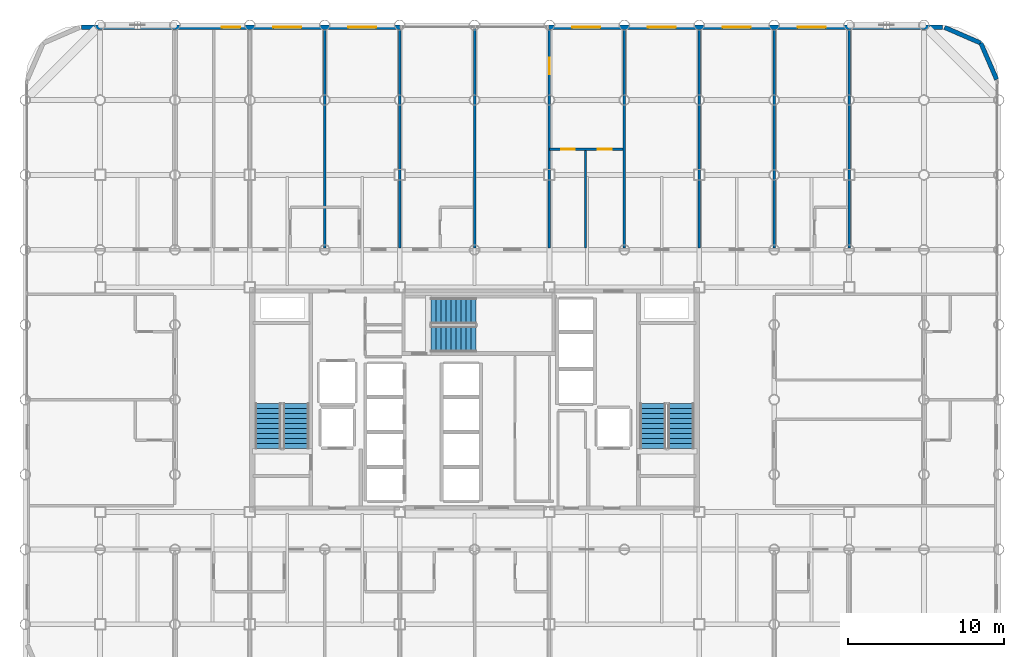
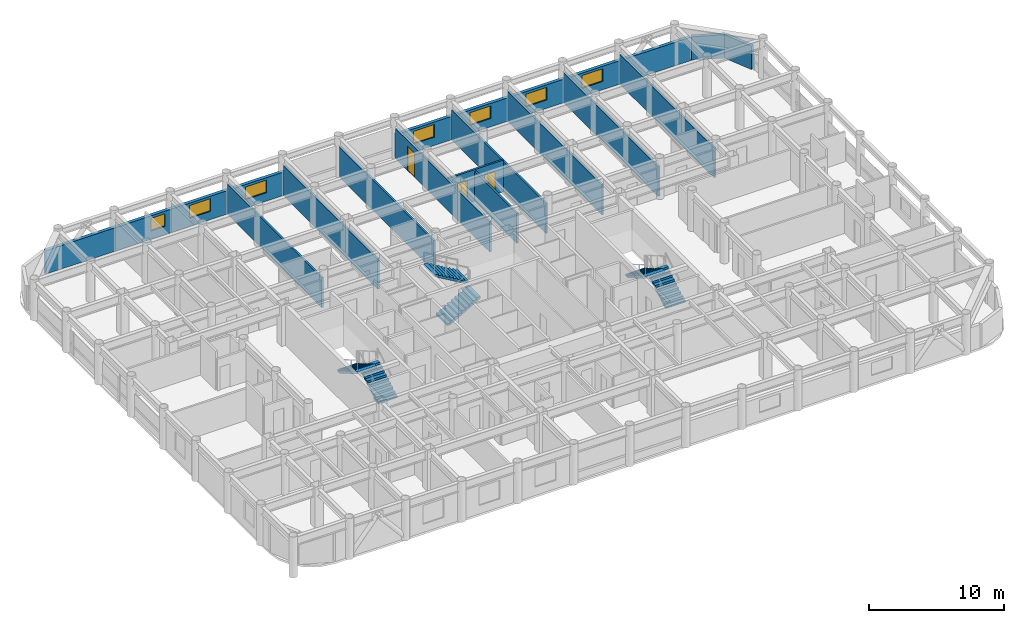
# One storey, part 21 of 22: 14 walls, 7 windows, 6 stair flights, 3 doors, 10 openings, 3 elements without a shape of their own.
"""IFC4 building model written with IfcOpenShell, lengths in metres."""

from ifc_helpers import new_model, si_unit, direction, frame, frame_2d, origin, place, context, subcontext, project, spatial, polyline, rectangle, outline, extrude, material, layer, layer_set, type_object, element, fill, aggregate, save


model = new_model("IFC4")

# Units and contexts
model_context = context("Model", 3, precision=1e-05, world=origin(), true_north=direction((0.0, 1.0)))
body_context = subcontext(model_context, "Body", "Model", "MODEL_VIEW")
ifc_project = project(units=[si_unit("LENGTHUNIT", "METRE"), si_unit("AREAUNIT", "SQUARE_METRE"), si_unit("VOLUMEUNIT", "CUBIC_METRE"), si_unit("PLANEANGLEUNIT", "RADIAN"), si_unit("MASSUNIT", "GRAM", prefix="KILO")], contexts=[model_context])

# Site, building, storey
site_placement = place(None, origin())
site = spatial("IfcSite", under=ifc_project, at=site_placement, CompositionType="ELEMENT")
building_placement = place(site_placement, origin())
building = spatial("IfcBuilding", under=site, at=building_placement, Name="Kallvorn Hotel Tower", CompositionType="ELEMENT")
storey_placement = place(building_placement, frame((0.0, 0.0, 106.300048828125)))
storey = spatial("IfcBuildingStorey", under=building, at=storey_placement, Name="L25", CompositionType="ELEMENT", Elevation=106.300048828125)

# Wall, openings, doors
ifc_material_1 = material(Name="Fire-rated double-layer acoustic gypsum drywall EI 60")
ifc_layer_1 = layer(ifc_material_1, 0.159912109375)
ifc_layer_set_1 = layer_set([ifc_layer_1], Name="WL_DEMISE_160")
wall_type_1 = type_object("IfcWallType", Name="WL_DEMISE_160", PredefinedType="PARTITIONING", material=ifc_layer_set_1)
wall_1_placement = place(storey_placement, frame((4.800048828125, 16.050048828125, 0.0), z_axis=(0.0, 0.0, 1.0), x_axis=(1.0, 0.0, 0.0)))
wall_1 = element("IfcWall", 1, at=wall_1_placement, inside=storey, type_object=wall_type_1, Name="L25 Suite 2514 Junior Bedroom Partition", PredefinedType="PARTITIONING", context=body_context, shape_type="SweptSolid", body=[
    extrude(rectangle(XDim=4.719970703125, YDim=0.159912109375, at=frame_2d((2.35986328125, 0.0))), origin(), (0.0, 0.0, 1.0), 2.869873046875),
])
opening_1_placement = place(wall_1_placement, frame((0.75, 0.0, 0.0)))
opening_1 = element("IfcOpeningElement", 2, at=opening_1_placement, cuts=wall_1, Name="Opening BD-I", PredefinedType="OPENING", context=body_context, shape_type="SweptSolid", body=[
    extrude(rectangle(XDim=0.860107421875, YDim=2.10009765625, at=frame_2d((0.43017578125, 1.050048828125))), frame((0.0, 0.094970703125, 0.0), z_axis=(0.0, -1.0, 0.0), x_axis=(1.0, 0.0, 0.0)), (0.0, 0.0, 1.0), 0.18994140625),
])
opening_2_placement = place(wall_1_placement, frame((3.090087890625, 0.0, 0.0)))
opening_2 = element("IfcOpeningElement", 3, at=opening_2_placement, cuts=wall_1, Name="Opening SVD1", PredefinedType="OPENING", context=body_context, shape_type="SweptSolid", body=[
    extrude(rectangle(XDim=0.89990234375, YDim=2.10009765625, at=frame_2d((0.449951171875, 1.050048828125))), frame((0.0, 0.094970703125, 0.0), z_axis=(0.0, -1.0, 0.0), x_axis=(1.0, 0.0, 0.0)), (0.0, 0.0, 1.0), 0.18994140625),
])
ifc_material_2 = material(Name="Solid-core walnut veneer fire-rated timber door leaf", Category="wood")
door_type_1 = type_object("IfcDoorType", Name="DR_BATH_860x2100", OperationType="NOTDEFINED", PredefinedType="DOOR", material=ifc_material_2)
door_1_placement = place(opening_1_placement, origin())
door_1 = element("IfcDoor", 4, at=door_1_placement, inside=storey, type_object=door_type_1, Name="L25 Suite 2514 En-Suite Bathroom Door", OperationType="SINGLE_SWING_LEFT", OverallHeight=2.10009765625, OverallWidth=0.860107421875, PredefinedType="DOOR", context=body_context, shape_type="SweptSolid", body=[
    extrude(rectangle(XDim=0.860107421875, YDim=2.10009765625, at=frame_2d((0.43017578125, 1.050048828125))), frame((0.0, 0.02490234375, 0.0), z_axis=(0.0, -1.0, 0.0), x_axis=(1.0, 0.0, 0.0)), (0.0, 0.0, 1.0), 0.050048828125),
])
fill(opening_1, door_1)
ifc_material_3 = material(Name="Galvanised painted steel fire-rated door assembly", Category="steel")
door_type_2 = type_object("IfcDoorType", Name="DR_SERV_900x2100", OperationType="NOTDEFINED", PredefinedType="DOOR", material=ifc_material_3)
door_2_placement = place(opening_2_placement, origin())
door_2 = element("IfcDoor", 5, at=door_2_placement, inside=storey, type_object=door_type_2, Name="L25 Suite 2514 Walk-In Dressing Closet Door", OperationType="SINGLE_SWING_RIGHT", OverallHeight=2.10009765625, OverallWidth=0.89990234375, PredefinedType="DOOR", context=body_context, shape_type="SweptSolid", body=[
    extrude(rectangle(XDim=0.89990234375, YDim=2.10009765625, at=frame_2d((0.449951171875, 1.050048828125))), frame((0.0, 0.02490234375, 0.0), z_axis=(0.0, -1.0, 0.0), x_axis=(1.0, 0.0, 0.0)), (0.0, 0.0, 1.0), 0.050048828125),
])
fill(opening_2, door_2)

# Walls
for number, where, z_axis, x_axis, name in (
    (6, (-9.60009765625, 9.719970703125, 0.0), (0.0, 0.0, 1.0), (0.0, 1.0, 0.0), "L25 Suite 2511 Standard Twin Room Partition"),
    (7, (-4.800048828125, 9.719970703125, 0.0), (0.0, 0.0, 1.0), (0.0, 1.0, 0.0), "L25 Suite 2512 Standard Twin Room Partition"),
):
    element("IfcWall", number, at=place(storey_placement, frame(where, z_axis=z_axis, x_axis=x_axis)), inside=storey, type_object=wall_type_1, Name=name, PredefinedType="PARTITIONING", context=body_context, shape_type="SweptSolid", body=[
        extrude(rectangle(XDim=13.989990234375, YDim=0.159912109375, at=frame_2d((6.9951171875, 0.0))), origin(), (0.0, 0.0, 1.0), 2.719970703125),
    ])
wall_2_placement = place(storey_placement, frame((0.0, 9.719970703125, 0.0), z_axis=(0.0, 0.0, 1.0), x_axis=(0.0, 1.0, 0.0)))
element("IfcWall", 8, at=wall_2_placement, inside=storey, type_object=wall_type_1, Name="L25 Suite 2514 Junior Living Salon Partition", PredefinedType="PARTITIONING", context=body_context, shape_type="SweptSolid", body=[
    extrude(rectangle(XDim=14.074951171875, YDim=0.159912109375, at=frame_2d((7.03759765625, 0.0))), origin(), (0.0, 0.0, 1.0), 2.719970703125),
])

# Wall, opening, door
wall_3_placement = place(storey_placement, frame((4.800048828125, 9.719970703125, 0.0), z_axis=(0.0, 0.0, 1.0), x_axis=(0.0, 1.0, 0.0)))
wall_3 = element("IfcWall", 9, at=wall_3_placement, inside=storey, type_object=wall_type_1, Name="L25 Suite 2514 Junior Living Salon Partition", PredefinedType="PARTITIONING", context=body_context, shape_type="SweptSolid", body=[
    extrude(rectangle(XDim=13.989990234375, YDim=0.159912109375, at=frame_2d((6.9951171875, 0.0))), origin(), (0.0, 0.0, 1.0), 2.719970703125),
])
opening_3_placement = place(wall_3_placement, frame((11.136962890625, 0.0, 0.0)))
opening_3 = element("IfcOpeningElement", 10, at=opening_3_placement, cuts=wall_3, Name="Opening GD2", PredefinedType="OPENING", context=body_context, shape_type="SweptSolid", body=[
    extrude(rectangle(XDim=1.050048828125, YDim=2.199951171875, at=frame_2d((0.52490234375, 1.10009765625))), frame((0.0, 0.094970703125, 0.0), z_axis=(0.0, -1.0, 0.0), x_axis=(1.0, 0.0, 0.0)), (0.0, 0.0, 1.0), 0.18994140625),
])
ifc_material_4 = material(Name="Solid-core walnut veneer fire-rated timber door leaf", Category="wood")
door_type_3 = type_object("IfcDoorType", Name="DR_SUITE_1050x2200", OperationType="NOTDEFINED", PredefinedType="DOOR", material=ifc_material_4)
door_3_placement = place(opening_3_placement, origin())
door_3 = element("IfcDoor", 11, at=door_3_placement, inside=storey, type_object=door_type_3, Name="L25 Suite 2514 Junior Bedroom Door", OperationType="SINGLE_SWING_LEFT", OverallHeight=2.199951171875, OverallWidth=1.050048828125, PredefinedType="DOOR", context=body_context, shape_type="SweptSolid", body=[
    extrude(rectangle(XDim=1.050048828125, YDim=2.199951171875, at=frame_2d((0.52490234375, 1.10009765625))), frame((0.0, 0.02490234375, 0.0), z_axis=(0.0, -1.0, 0.0), x_axis=(1.0, 0.0, 0.0)), (0.0, 0.0, 1.0), 0.050048828125),
])
fill(opening_3, door_3)

# Walls
for number, where, z_axis, x_axis, name in (
    (12, (9.60009765625, 9.719970703125, 0.0), (0.0, 0.0, 1.0), (0.0, 1.0, 0.0), "L25 Suite 2514 Junior Bedroom Partition"),
    (13, (19.199951171875, 9.719970703125, 0.0), (0.0, 0.0, 1.0), (0.0, 1.0, 0.0), "L25 Suite 2515 Standard Twin Room Partition"),
    (14, (24.0, 9.719970703125, 0.0), (0.0, 0.0, 1.0), (0.0, 1.0, 0.0), "L25 Suite 2515 Standard Twin Room Partition"),
):
    element("IfcWall", number, at=place(storey_placement, frame(where, z_axis=z_axis, x_axis=x_axis)), inside=storey, type_object=wall_type_1, Name=name, PredefinedType="PARTITIONING", context=body_context, shape_type="SweptSolid", body=[
        extrude(rectangle(XDim=13.989990234375, YDim=0.159912109375, at=frame_2d((6.9951171875, 0.0))), origin(), (0.0, 0.0, 1.0), 2.719970703125),
    ])
ifc_material_5 = material(Name="Precast basalt-clad insulated concrete wall C40/50", Category="masonry")
ifc_layer_2 = layer(ifc_material_5, 0.280029296875)
ifc_layer_set_2 = layer_set([ifc_layer_2], Name="WL_EXT_LOGGIA_280")
wall_type_2 = type_object("IfcWallType", Name="WL_EXT_LOGGIA_280", PredefinedType="SOLIDWALL", material=ifc_layer_set_2)
wall_4_placement = place(storey_placement, frame((33.4580078125, 20.520751953125, 0.0), z_axis=(0.0, 0.0, 1.0), x_axis=(-0.398792985289, 0.917040977756, 0.0)))
element("IfcWall", 15, at=wall_4_placement, inside=storey, type_object=wall_type_2, Name="L25 Rounded Corner Exterior Wall NE1", PredefinedType="SOLIDWALL", context=body_context, shape_type="SweptSolid", body=[
    extrude(rectangle(XDim=2.536376953125, YDim=0.280029296875, at=frame_2d((1.26806640625, 0.0))), origin(), (0.0, 0.0, 1.0), 2.119873046875),
])
wall_5_placement = place(storey_placement, frame((32.446533203125, 22.8466796875, 0.0), z_axis=(0.0, 0.0, 1.0), x_axis=(-0.917060872934, 0.398747232384, 0.0)))
element("IfcWall", 16, at=wall_5_placement, inside=storey, type_object=wall_type_2, Name="L25 Rounded Corner Exterior Wall NE2", PredefinedType="SOLIDWALL", context=body_context, shape_type="SweptSolid", body=[
    extrude(rectangle(XDim=2.5361328125, YDim=0.280029296875, at=frame_2d((1.26806640625, 0.0))), origin(), (0.0, 0.0, 1.0), 2.119873046875),
])

# Wall, openings, windows
wall_6_placement = place(storey_placement, frame((-25.199951171875, 23.860107421875, 0.0), z_axis=(0.0, 0.0, 1.0), x_axis=(1.0, 0.0, 0.0)))
wall_6 = element("IfcWall", 17, at=wall_6_placement, inside=storey, type_object=wall_type_2, Name="L25 Exterior Envelope Wall EW-L25-NW", PredefinedType="SOLIDWALL", context=body_context, shape_type="SweptSolid", body=[
    extrude(rectangle(XDim=20.449951171875, YDim=0.280029296875, at=frame_2d((10.22509765625, 0.0))), origin(), (0.0, 0.0, 1.0), 2.119873046875),
])
opening_4_placement = place(wall_6_placement, frame((9.0, 0.0, 0.75)))
opening_4 = element("IfcOpeningElement", 18, at=opening_4_placement, cuts=wall_6, Name="Opening W06A", PredefinedType="OPENING", context=body_context, shape_type="SweptSolid", body=[
    extrude(rectangle(XDim=1.199951171875, YDim=1.14990234375, at=frame_2d((0.60009765625, 0.574951171875))), frame((0.0, 0.155029296875, 0.0), z_axis=(0.0, -1.0, 0.0), x_axis=(1.0, 0.0, 0.0)), (0.0, 0.0, 1.0), 0.31005859375),
])
opening_5_placement = place(wall_6_placement, frame((12.300048828125, 0.0, 0.75)))
opening_5 = element("IfcOpeningElement", 19, at=opening_5_placement, cuts=wall_6, Name="Opening W04A", PredefinedType="OPENING", context=body_context, shape_type="SweptSolid", body=[
    extrude(rectangle(XDim=1.800048828125, YDim=1.14990234375, at=frame_2d((0.89990234375, 0.574951171875))), frame((0.0, 0.155029296875, 0.0), z_axis=(0.0, -1.0, 0.0), x_axis=(1.0, 0.0, 0.0)), (0.0, 0.0, 1.0), 0.31005859375),
])
opening_6_placement = place(wall_6_placement, frame((17.10009765625, 0.0, 0.75)))
opening_6 = element("IfcOpeningElement", 20, at=opening_6_placement, cuts=wall_6, Name="Opening W04A", PredefinedType="OPENING", context=body_context, shape_type="SweptSolid", body=[
    extrude(rectangle(XDim=1.800048828125, YDim=1.14990234375, at=frame_2d((0.89990234375, 0.574951171875))), frame((0.0, 0.155029296875, 0.0), z_axis=(0.0, -1.0, 0.0), x_axis=(1.0, 0.0, 0.0)), (0.0, 0.0, 1.0), 0.31005859375),
])
ifc_material_6 = material(Name="Triple-glazed low-e acoustic solar-control dark glass", Category="glass")
window_type_1 = type_object("IfcWindowType", Name="WN_HTL_1200x1150", PartitioningType="SINGLE_PANEL", PredefinedType="WINDOW", material=ifc_material_6)
window_1_placement = place(opening_4_placement, origin())
window_1 = element("IfcWindow", 21, at=window_1_placement, inside=storey, type_object=window_type_1, Name="L25 Guestroom Exterior Window 10", OverallHeight=1.14990234375, OverallWidth=1.199951171875, PartitioningType="SINGLE_PANEL", PredefinedType="WINDOW", context=body_context, shape_type="SweptSolid", body=[
    extrude(rectangle(XDim=1.199951171875, YDim=1.14990234375, at=frame_2d((0.60009765625, 0.574951171875))), frame((0.0, 0.030029296875, 0.0), z_axis=(0.0, -1.0, 0.0), x_axis=(1.0, 0.0, 0.0)), (0.0, 0.0, 1.0), 0.06005859375),
])
fill(opening_4, window_1)
ifc_material_7 = material(Name="Double-glazed low-e solar-control dark glass", Category="glass")
window_type_2 = type_object("IfcWindowType", Name="WN_HTL_1800x1150", PartitioningType="SINGLE_PANEL", PredefinedType="WINDOW", material=ifc_material_7)
window_2_placement = place(opening_5_placement, origin())
window_2 = element("IfcWindow", 22, at=window_2_placement, inside=storey, type_object=window_type_2, Name="L25 Guestroom Exterior Window 11", OverallHeight=1.14990234375, OverallWidth=1.800048828125, PartitioningType="SINGLE_PANEL", PredefinedType="WINDOW", context=body_context, shape_type="SweptSolid", body=[
    extrude(rectangle(XDim=1.800048828125, YDim=1.14990234375, at=frame_2d((0.89990234375, 0.574951171875))), frame((0.0, 0.030029296875, 0.0), z_axis=(0.0, -1.0, 0.0), x_axis=(1.0, 0.0, 0.0)), (0.0, 0.0, 1.0), 0.06005859375),
])
fill(opening_5, window_2)
window_3_placement = place(opening_6_placement, origin())
window_3 = element("IfcWindow", 23, at=window_3_placement, inside=storey, type_object=window_type_2, Name="L25 Guestroom Exterior Window 12", OverallHeight=1.14990234375, OverallWidth=1.800048828125, PartitioningType="SINGLE_PANEL", PredefinedType="WINDOW", context=body_context, shape_type="SweptSolid", body=[
    extrude(rectangle(XDim=1.800048828125, YDim=1.14990234375, at=frame_2d((0.89990234375, 0.574951171875))), frame((0.0, 0.030029296875, 0.0), z_axis=(0.0, -1.0, 0.0), x_axis=(1.0, 0.0, 0.0)), (0.0, 0.0, 1.0), 0.06005859375),
])
fill(opening_6, window_3)

wall_7_placement = place(storey_placement, frame((4.75, 23.860107421875, 0.0), z_axis=(0.0, 0.0, 1.0), x_axis=(1.0, 0.0, 0.0)))
wall_7 = element("IfcWall", 24, at=wall_7_placement, inside=storey, type_object=wall_type_2, Name="L25 Exterior Envelope Wall EW-L25-NE", PredefinedType="SOLIDWALL", context=body_context, shape_type="SweptSolid", body=[
    extrude(rectangle(XDim=25.25, YDim=0.280029296875, at=frame_2d((12.625, 0.0))), origin(), (0.0, 0.0, 1.0), 2.119873046875),
])
opening_7_placement = place(wall_7_placement, frame((1.510009765625, 0.0, 0.75)))
opening_7 = element("IfcOpeningElement", 25, at=opening_7_placement, cuts=wall_7, Name="Opening W04A", PredefinedType="OPENING", context=body_context, shape_type="SweptSolid", body=[
    extrude(rectangle(XDim=1.800048828125, YDim=1.14990234375, at=frame_2d((0.89990234375, 0.574951171875))), frame((0.0, 0.155029296875, 0.0), z_axis=(0.0, -1.0, 0.0), x_axis=(1.0, 0.0, 0.0)), (0.0, 0.0, 1.0), 0.31005859375),
])
opening_8_placement = place(wall_7_placement, frame((6.35009765625, 0.0, 0.75)))
opening_8 = element("IfcOpeningElement", 26, at=opening_8_placement, cuts=wall_7, Name="Opening W04A", PredefinedType="OPENING", context=body_context, shape_type="SweptSolid", body=[
    extrude(rectangle(XDim=1.800048828125, YDim=1.14990234375, at=frame_2d((0.89990234375, 0.574951171875))), frame((0.0, 0.155029296875, 0.0), z_axis=(0.0, -1.0, 0.0), x_axis=(1.0, 0.0, 0.0)), (0.0, 0.0, 1.0), 0.31005859375),
])
opening_9_placement = place(wall_7_placement, frame((11.14990234375, 0.0, 0.75)))
opening_9 = element("IfcOpeningElement", 27, at=opening_9_placement, cuts=wall_7, Name="Opening W04A", PredefinedType="OPENING", context=body_context, shape_type="SweptSolid", body=[
    extrude(rectangle(XDim=1.800048828125, YDim=1.14990234375, at=frame_2d((0.89990234375, 0.574951171875))), frame((0.0, 0.155029296875, 0.0), z_axis=(0.0, -1.0, 0.0), x_axis=(1.0, 0.0, 0.0)), (0.0, 0.0, 1.0), 0.31005859375),
])
opening_10_placement = place(wall_7_placement, frame((15.949951171875, 0.0, 0.75)))
opening_10 = element("IfcOpeningElement", 28, at=opening_10_placement, cuts=wall_7, Name="Opening W04A", PredefinedType="OPENING", context=body_context, shape_type="SweptSolid", body=[
    extrude(rectangle(XDim=1.800048828125, YDim=1.14990234375, at=frame_2d((0.89990234375, 0.574951171875))), frame((0.0, 0.155029296875, 0.0), z_axis=(0.0, -1.0, 0.0), x_axis=(1.0, 0.0, 0.0)), (0.0, 0.0, 1.0), 0.31005859375),
])
window_4_placement = place(opening_7_placement, origin())
window_4 = element("IfcWindow", 29, at=window_4_placement, inside=storey, type_object=window_type_2, Name="L25 Guestroom Exterior Window 13", OverallHeight=1.14990234375, OverallWidth=1.800048828125, PartitioningType="SINGLE_PANEL", PredefinedType="WINDOW", context=body_context, shape_type="SweptSolid", body=[
    extrude(rectangle(XDim=1.800048828125, YDim=1.14990234375, at=frame_2d((0.89990234375, 0.574951171875))), frame((0.0, 0.030029296875, 0.0), z_axis=(0.0, -1.0, 0.0), x_axis=(1.0, 0.0, 0.0)), (0.0, 0.0, 1.0), 0.06005859375),
])
fill(opening_7, window_4)
window_5_placement = place(opening_8_placement, origin())
window_5 = element("IfcWindow", 30, at=window_5_placement, inside=storey, type_object=window_type_2, Name="L25 Guestroom Exterior Window 14", OverallHeight=1.14990234375, OverallWidth=1.800048828125, PartitioningType="SINGLE_PANEL", PredefinedType="WINDOW", context=body_context, shape_type="SweptSolid", body=[
    extrude(rectangle(XDim=1.800048828125, YDim=1.14990234375, at=frame_2d((0.89990234375, 0.574951171875))), frame((0.0, 0.030029296875, 0.0), z_axis=(0.0, -1.0, 0.0), x_axis=(1.0, 0.0, 0.0)), (0.0, 0.0, 1.0), 0.06005859375),
])
fill(opening_8, window_5)
window_6_placement = place(opening_9_placement, origin())
window_6 = element("IfcWindow", 31, at=window_6_placement, inside=storey, type_object=window_type_2, Name="L25 Guestroom Exterior Window 15", OverallHeight=1.14990234375, OverallWidth=1.800048828125, PartitioningType="SINGLE_PANEL", PredefinedType="WINDOW", context=body_context, shape_type="SweptSolid", body=[
    extrude(rectangle(XDim=1.800048828125, YDim=1.14990234375, at=frame_2d((0.89990234375, 0.574951171875))), frame((0.0, 0.030029296875, 0.0), z_axis=(0.0, -1.0, 0.0), x_axis=(1.0, 0.0, 0.0)), (0.0, 0.0, 1.0), 0.06005859375),
])
fill(opening_9, window_6)
window_7_placement = place(opening_10_placement, origin())
window_7 = element("IfcWindow", 32, at=window_7_placement, inside=storey, type_object=window_type_2, Name="L25 Guestroom Exterior Window 16", OverallHeight=1.14990234375, OverallWidth=1.800048828125, PartitioningType="SINGLE_PANEL", PredefinedType="WINDOW", context=body_context, shape_type="SweptSolid", body=[
    extrude(rectangle(XDim=1.800048828125, YDim=1.14990234375, at=frame_2d((0.89990234375, 0.574951171875))), frame((0.0, 0.030029296875, 0.0), z_axis=(0.0, -1.0, 0.0), x_axis=(1.0, 0.0, 0.0)), (0.0, 0.0, 1.0), 0.06005859375),
])
fill(opening_10, window_7)

# Walls
ifc_material_8 = material(Name="Fire-rated double-layer acoustic gypsum drywall EI 60")
ifc_layer_3 = layer(ifc_material_8, 0.14990234375)
ifc_layer_set_3 = layer_set([ifc_layer_3], Name="WL_PART_150")
wall_type_3 = type_object("IfcWallType", Name="WL_PART_150", PredefinedType="PARTITIONING", material=ifc_layer_set_3)
wall_8_placement = place(storey_placement, frame((7.106689453125, 9.719970703125, 0.0), z_axis=(0.0, 0.0, 1.0), x_axis=(0.0, 1.0, 0.0)))
element("IfcWall", 33, at=wall_8_placement, inside=storey, type_object=wall_type_3, Name="L25 Suite 2514 Walk-In Dressing Closet Partition", PredefinedType="PARTITIONING", context=body_context, shape_type="SweptSolid", body=[
    extrude(rectangle(XDim=6.2451171875, YDim=0.14990234375, at=frame_2d((3.12255859375, 0.0))), origin(), (0.0, 0.0, 1.0), 2.719970703125),
])
wall_9_placement = place(storey_placement, frame((14.39990234375, 9.719970703125, 0.0), z_axis=(0.0, 0.0, 1.0), x_axis=(0.0, 1.0, 0.0)))
element("IfcWall", 34, at=wall_9_placement, inside=storey, type_object=wall_type_3, Name="L25 L25 Diplomatic Summit Conference Boardroom 6-1 Partition", PredefinedType="PARTITIONING", context=body_context, shape_type="SweptSolid", body=[
    extrude(rectangle(XDim=13.989990234375, YDim=0.14990234375, at=frame_2d((6.9951171875, 0.0))), origin(), (0.0, 0.0, 1.0), 2.719970703125),
])

# Stair, stair flights
ifc_material_9 = material(Name="Precast concrete C40/50", Category="concrete")
stair_type = type_object("IfcStairType", Name="STR_CORE_DOGLEG", PredefinedType="HALF_TURN_STAIR", material=ifc_material_9)
stair_1_placement = place(storey_placement, origin())
stair_1 = element("IfcStair", 35, at=stair_1_placement, inside=storey, type_object=stair_type, Name="L25 Exit stair ST1", PredefinedType="HALF_TURN_STAIR")
ifc_material_10 = material(Name="Precast concrete C40/50", Category="concrete")
stair_flight_type = type_object("IfcStairFlightType", Name="FLT_CORE_1660", PredefinedType="STRAIGHT", material=ifc_material_10)
stair_flight_1_placement = place(storey_placement, frame((-11.429931640625, -3.139892578125, 0.0), z_axis=(0.0, 0.0, 1.0), x_axis=(0.0, 1.0, 0.0)))
stair_flight_1 = element("IfcStairFlight", 36, at=stair_flight_1_placement, type_object=stair_flight_type, Name="ST1 flight 1", NumberOfRisers=10, NumberOfTreads=9, PredefinedType="STRAIGHT", RiserHeight=0.185, TreadLength=0.32, context=body_context, shape_type="SweptSolid", body=[
    extrude(outline(polyline([(0.0, 0.0), (0.0, 0.18505859375), (0.320068359375, 0.18505859375), (0.320068359375, 0.3701171875), (0.639892578125, 0.3701171875), (0.639892578125, 0.554931640625), (0.9599609375, 0.554931640625), (0.9599609375, 0.739990234375), (1.280029296875, 0.739990234375), (1.280029296875, 0.925048828125), (1.60009765625, 0.925048828125), (1.60009765625, 1.110107421875), (1.919921875, 1.110107421875), (1.919921875, 1.294921875), (2.239990234375, 1.294921875), (2.239990234375, 1.47998046875), (2.56005859375, 1.47998046875), (2.56005859375, 1.6650390625), (2.8798828125, 1.6650390625), (2.8798828125, 1.85009765625), (2.8798828125, 1.491943359375), (0.299560546875, 0.0), (0.0, 0.0)])), frame((0.0, 0.830078125, 0.0), z_axis=(0.0, -1.0, 0.0), x_axis=(1.0, 0.0, 0.0)), (0.0, 0.0, 1.0), 1.659912109375),
])
stair_flight_2_placement = place(storey_placement, frame((-13.22998046875, -0.260009765625, 1.849853515625), z_axis=(0.0, 0.0, 1.0), x_axis=(0.0, -1.0, 0.0)))
stair_flight_2 = element("IfcStairFlight", 37, at=stair_flight_2_placement, type_object=stair_flight_type, Name="ST1 flight 2", NumberOfRisers=10, NumberOfTreads=9, PredefinedType="STRAIGHT", RiserHeight=0.185, TreadLength=0.32, context=body_context, shape_type="SweptSolid", body=[
    extrude(outline(polyline([(0.0, 0.0), (0.0, 0.18505859375), (0.320068359375, 0.18505859375), (0.320068359375, 0.3701171875), (0.639892578125, 0.3701171875), (0.639892578125, 0.554931640625), (0.9599609375, 0.554931640625), (0.9599609375, 0.739990234375), (1.280029296875, 0.739990234375), (1.280029296875, 0.925048828125), (1.60009765625, 0.925048828125), (1.60009765625, 1.110107421875), (1.919921875, 1.110107421875), (1.919921875, 1.294921875), (2.239990234375, 1.294921875), (2.239990234375, 1.47998046875), (2.56005859375, 1.47998046875), (2.56005859375, 1.6650390625), (2.8798828125, 1.6650390625), (2.8798828125, 1.85009765625), (2.8798828125, 1.491943359375), (0.299560546875, 0.0), (0.0, 0.0)])), frame((0.0, 0.830078125, 0.0), z_axis=(0.0, -1.0, 0.0), x_axis=(1.0, 0.0, 0.0)), (0.0, 0.0, 1.0), 1.659912109375),
])
aggregate(stair_1, [stair_flight_1, stair_flight_2])

stair_2_placement = place(storey_placement, origin())
stair_2 = element("IfcStair", 38, at=stair_2_placement, inside=storey, type_object=stair_type, Name="L25 Exit stair ST2", PredefinedType="HALF_TURN_STAIR")
stair_flight_3_placement = place(storey_placement, frame((13.22998046875, -3.139892578125, 0.0), z_axis=(0.0, 0.0, 1.0), x_axis=(0.0, 1.0, 0.0)))
stair_flight_3 = element("IfcStairFlight", 39, at=stair_flight_3_placement, type_object=stair_flight_type, Name="ST2 flight 1", NumberOfRisers=10, NumberOfTreads=9, PredefinedType="STRAIGHT", RiserHeight=0.185, TreadLength=0.32, context=body_context, shape_type="SweptSolid", body=[
    extrude(outline(polyline([(0.0, 0.0), (0.0, 0.18505859375), (0.320068359375, 0.18505859375), (0.320068359375, 0.3701171875), (0.639892578125, 0.3701171875), (0.639892578125, 0.554931640625), (0.9599609375, 0.554931640625), (0.9599609375, 0.739990234375), (1.280029296875, 0.739990234375), (1.280029296875, 0.925048828125), (1.60009765625, 0.925048828125), (1.60009765625, 1.110107421875), (1.919921875, 1.110107421875), (1.919921875, 1.294921875), (2.239990234375, 1.294921875), (2.239990234375, 1.47998046875), (2.56005859375, 1.47998046875), (2.56005859375, 1.6650390625), (2.8798828125, 1.6650390625), (2.8798828125, 1.85009765625), (2.8798828125, 1.491943359375), (0.299560546875, 0.0), (0.0, 0.0)])), frame((0.0, 0.830078125, 0.0), z_axis=(0.0, -1.0, 0.0), x_axis=(1.0, 0.0, 0.0)), (0.0, 0.0, 1.0), 1.659912109375),
])
stair_flight_4_placement = place(storey_placement, frame((11.429931640625, -0.260009765625, 1.849853515625), z_axis=(0.0, 0.0, 1.0), x_axis=(0.0, -1.0, 0.0)))
stair_flight_4 = element("IfcStairFlight", 40, at=stair_flight_4_placement, type_object=stair_flight_type, Name="ST2 flight 2", NumberOfRisers=10, NumberOfTreads=9, PredefinedType="STRAIGHT", RiserHeight=0.185, TreadLength=0.32, context=body_context, shape_type="SweptSolid", body=[
    extrude(outline(polyline([(0.0, 0.0), (0.0, 0.18505859375), (0.320068359375, 0.18505859375), (0.320068359375, 0.3701171875), (0.639892578125, 0.3701171875), (0.639892578125, 0.554931640625), (0.9599609375, 0.554931640625), (0.9599609375, 0.739990234375), (1.280029296875, 0.739990234375), (1.280029296875, 0.925048828125), (1.60009765625, 0.925048828125), (1.60009765625, 1.110107421875), (1.919921875, 1.110107421875), (1.919921875, 1.294921875), (2.239990234375, 1.294921875), (2.239990234375, 1.47998046875), (2.56005859375, 1.47998046875), (2.56005859375, 1.6650390625), (2.8798828125, 1.6650390625), (2.8798828125, 1.85009765625), (2.8798828125, 1.491943359375), (0.299560546875, 0.0), (0.0, 0.0)])), frame((0.0, 0.830078125, 0.0), z_axis=(0.0, -1.0, 0.0), x_axis=(1.0, 0.0, 0.0)), (0.0, 0.0, 1.0), 1.659912109375),
])
aggregate(stair_2, [stair_flight_3, stair_flight_4])

stair_3_placement = place(storey_placement, origin())
stair_3 = element("IfcStair", 41, at=stair_3_placement, inside=storey, type_object=stair_type, Name="L25 Exit stair ST3", PredefinedType="HALF_TURN_STAIR")
stair_flight_5_placement = place(storey_placement, frame((-2.7900390625, 3.8798828125, 0.0), z_axis=(0.0, 0.0, 1.0), x_axis=(1.0, 0.0, 0.0)))
stair_flight_5 = element("IfcStairFlight", 42, at=stair_flight_5_placement, type_object=stair_flight_type, Name="ST3 flight 1", NumberOfRisers=10, NumberOfTreads=9, PredefinedType="STRAIGHT", RiserHeight=0.185, TreadLength=0.32, context=body_context, shape_type="SweptSolid", body=[
    extrude(outline(polyline([(0.0, 0.0), (0.0, 0.18505859375), (0.320068359375, 0.18505859375), (0.320068359375, 0.3701171875), (0.639892578125, 0.3701171875), (0.639892578125, 0.554931640625), (0.9599609375, 0.554931640625), (0.9599609375, 0.739990234375), (1.280029296875, 0.739990234375), (1.280029296875, 0.925048828125), (1.60009765625, 0.925048828125), (1.60009765625, 1.110107421875), (1.919921875, 1.110107421875), (1.919921875, 1.294921875), (2.239990234375, 1.294921875), (2.239990234375, 1.47998046875), (2.56005859375, 1.47998046875), (2.56005859375, 1.6650390625), (2.8798828125, 1.6650390625), (2.8798828125, 1.85009765625), (2.8798828125, 1.491943359375), (0.299560546875, 0.0), (0.0, 0.0)])), frame((0.0, 0.830078125, 0.0), z_axis=(0.0, -1.0, 0.0), x_axis=(1.0, 0.0, 0.0)), (0.0, 0.0, 1.0), 1.659912109375),
])
stair_flight_6_placement = place(storey_placement, frame((0.090087890625, 5.679931640625, 1.849853515625), z_axis=(0.0, 0.0, 1.0), x_axis=(-1.0, 0.0, 0.0)))
stair_flight_6 = element("IfcStairFlight", 43, at=stair_flight_6_placement, type_object=stair_flight_type, Name="ST3 flight 2", NumberOfRisers=10, NumberOfTreads=9, PredefinedType="STRAIGHT", RiserHeight=0.185, TreadLength=0.32, context=body_context, shape_type="SweptSolid", body=[
    extrude(outline(polyline([(0.0, 0.0), (0.0, 0.18505859375), (0.320068359375, 0.18505859375), (0.320068359375, 0.3701171875), (0.639892578125, 0.3701171875), (0.639892578125, 0.554931640625), (0.9599609375, 0.554931640625), (0.9599609375, 0.739990234375), (1.280029296875, 0.739990234375), (1.280029296875, 0.925048828125), (1.60009765625, 0.925048828125), (1.60009765625, 1.110107421875), (1.919921875, 1.110107421875), (1.919921875, 1.294921875), (2.239990234375, 1.294921875), (2.239990234375, 1.47998046875), (2.56005859375, 1.47998046875), (2.56005859375, 1.6650390625), (2.8798828125, 1.6650390625), (2.8798828125, 1.85009765625), (2.8798828125, 1.491943359375), (0.299560546875, 0.0), (0.0, 0.0)])), frame((0.0, 0.830078125, 0.0), z_axis=(0.0, -1.0, 0.0), x_axis=(1.0, 0.0, 0.0)), (0.0, 0.0, 1.0), 1.659912109375),
])
aggregate(stair_3, [stair_flight_5, stair_flight_6])

save(model, "model.ifc")
